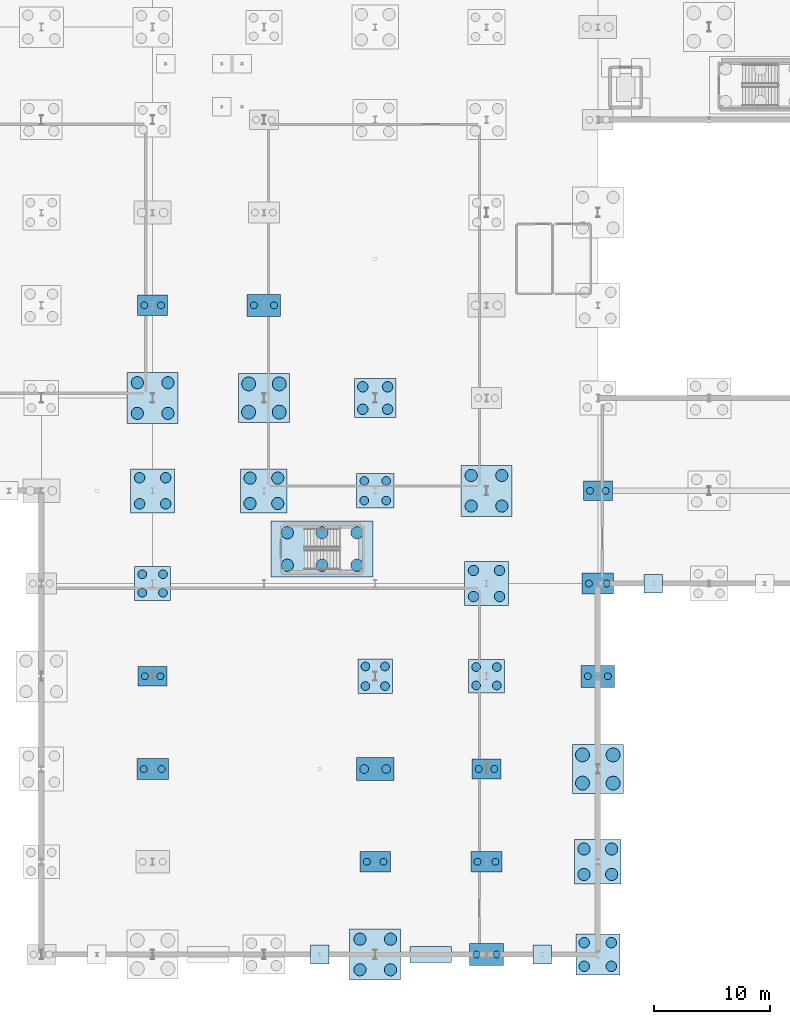
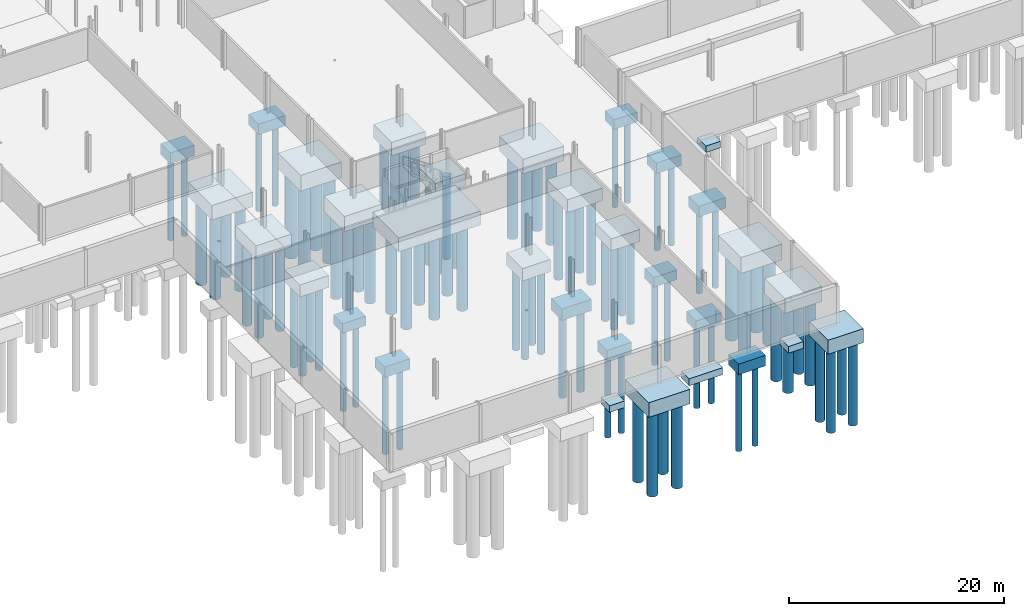
# One storey, part 2 of 47: 90 piles, 32 footings.
"""IFC4 building model written with IfcOpenShell, lengths in metres."""

from ifc_helpers import new_model, si_unit, direction, frame, origin, origin_2d, place, context, subcontext, project, spatial, rectangle, circle, extrude, material, material_profile, profile_set, type_object, element, save


model = new_model("IFC4")

# Units and contexts
model_context = context("Model", 3, precision=1e-05, world=origin(), true_north=direction((0.0, 1.0)))
body_context = subcontext(model_context, "Body", "Model", "MODEL_VIEW")
ifc_project = project(units=[si_unit("LENGTHUNIT", "METRE"), si_unit("AREAUNIT", "SQUARE_METRE"), si_unit("VOLUMEUNIT", "CUBIC_METRE"), si_unit("PLANEANGLEUNIT", "RADIAN"), si_unit("MASSUNIT", "GRAM", prefix="KILO")], contexts=[model_context])

# Site, building, storey
site_placement = place(None, origin())
site = spatial("IfcSite", under=ifc_project, at=site_placement, CompositionType="ELEMENT")
building_placement = place(site_placement, origin())
building = spatial("IfcBuilding", under=site, at=building_placement, Name="Alderhovde Museum", CompositionType="ELEMENT")
storey_placement = place(building_placement, frame((0.0, 0.0, -4.5)))
storey = spatial("IfcBuildingStorey", under=building, at=storey_placement, Name="B1", CompositionType="ELEMENT", Elevation=-4.5)

# Footings
ifc_material_1 = material(Name="Concrete C40/50", Category="concrete")
footing_type_1 = type_object("IfcFootingType", Name="PC-2500x1700x1100", PredefinedType="PILE_CAP", material=ifc_material_1)
for number, where, z_axis, x_axis, name in (
    (1, (76.800048828125, 24.0, -1.5), (0.0, 0.0, 1.0), (1.0, 0.0, 0.0), "Pile Cap at (76.8, 24.0)"),
    (2, (105.60009765625, 16.0, -1.5), (0.0, 0.0, 1.0), (1.0, 0.0, 0.0), "Pile Cap at (105.6, 16.0)"),
    (3, (115.199951171875, 40.0, -1.5), (0.0, 0.0, 1.0), (1.0, 0.0, 0.0), "Pile Cap at (115.2, 40.0)"),
):
    element("IfcFooting", number, at=place(storey_placement, frame(where, z_axis=z_axis, x_axis=x_axis)), inside=storey, type_object=footing_type_1, Name=name, PredefinedType="PILE_CAP", context=body_context, shape_type="SweptSolid", body=[
        extrude(rectangle(XDim=2.5, YDim=1.699951171875, at=origin_2d()), origin(), (0.0, 0.0, 1.0), 1.10009765625),
    ])
ifc_material_2 = material(Name="Concrete C40/50", Category="concrete")
footing_type_2 = type_object("IfcFootingType", Name="PC-2600x1800x1200", PredefinedType="PILE_CAP", material=ifc_material_2)
for number, where, z_axis, x_axis, name in (
    (4, (76.800048828125, 56.0, -1.60009765625), (0.0, 0.0, 1.0), (1.0, 0.0, 0.0), "Pile Cap at (76.8, 56.0)"),
    (5, (96.0, 8.0, -1.60009765625), (0.0, 0.0, 1.0), (1.0, 0.0, 0.0), "Pile Cap at (96.0, 8.0)"),
):
    element("IfcFooting", number, at=place(storey_placement, frame(where, z_axis=z_axis, x_axis=x_axis)), inside=storey, type_object=footing_type_2, Name=name, PredefinedType="PILE_CAP", context=body_context, shape_type="SweptSolid", body=[
        extrude(rectangle(XDim=2.60009765625, YDim=1.800048828125, at=origin_2d()), origin(), (0.0, 0.0, 1.0), 1.199951171875),
    ])
ifc_material_3 = material(Name="Concrete C40/50", Category="concrete")
footing_type_3 = type_object("IfcFootingType", Name="PC-2700x1800x1200", PredefinedType="PILE_CAP", material=ifc_material_3)
for number, where, z_axis, x_axis, name in (
    (6, (76.800048828125, 16.0, -1.60009765625), (0.0, 0.0, 1.0), (1.0, 0.0, 0.0), "Pile Cap at (76.8, 16.0)"),
    (7, (105.60009765625, 8.0, -1.60009765625), (0.0, 0.0, 1.0), (1.0, 0.0, 0.0), "Pile Cap at (105.6, 8.0)"),
    (8, (115.199951171875, 32.0, -1.60009765625), (0.0, 0.0, 1.0), (1.0, 0.0, 0.0), "Pile Cap at (115.2, 32.0)"),
):
    element("IfcFooting", number, at=place(storey_placement, frame(where, z_axis=z_axis, x_axis=x_axis)), inside=storey, type_object=footing_type_3, Name=name, PredefinedType="PILE_CAP", context=body_context, shape_type="SweptSolid", body=[
        extrude(rectangle(XDim=2.699951171875, YDim=1.800048828125, at=origin_2d()), origin(), (0.0, 0.0, 1.0), 1.199951171875),
    ])
ifc_material_4 = material(Name="Concrete C40/50", Category="concrete")
footing_type_4 = type_object("IfcFootingType", Name="PC-2900x1900x1200", PredefinedType="PILE_CAP", material=ifc_material_4)
for number, where, z_axis, x_axis, name in (
    (9, (86.39990234375, 56.0, -1.60009765625), (0.0, 0.0, 1.0), (1.0, 0.0, 0.0), "Pile Cap at (86.4, 56.0)"),
    (10, (105.60009765625, 0.0, -1.60009765625), (0.0, 0.0, 1.0), (1.0, 0.0, 0.0), "Pile Cap at (105.6, 0.0)"),
    (11, (115.199951171875, 24.0, -1.60009765625), (0.0, 0.0, 1.0), (1.0, 0.0, 0.0), "Pile Cap at (115.2, 24.0)"),
):
    element("IfcFooting", number, at=place(storey_placement, frame(where, z_axis=z_axis, x_axis=x_axis)), inside=storey, type_object=footing_type_4, Name=name, PredefinedType="PILE_CAP", context=body_context, shape_type="SweptSolid", body=[
        extrude(rectangle(XDim=2.89990234375, YDim=1.89990234375, at=origin_2d()), origin(), (0.0, 0.0, 1.0), 1.199951171875),
    ])
ifc_material_5 = material(Name="Concrete C40/50", Category="concrete")
footing_type_5 = type_object("IfcFootingType", Name="PC-3000x3000x1400", PredefinedType="PILE_CAP", material=ifc_material_5)
footing_1_placement = place(storey_placement, frame((96.0, 24.0, -1.800048828125), z_axis=(0.0, 0.0, 1.0), x_axis=(1.0, 0.0, 0.0)))
element("IfcFooting", 12, at=footing_1_placement, inside=storey, type_object=footing_type_5, Name="Pile Cap at (96.0, 24.0)", PredefinedType="PILE_CAP", context=body_context, shape_type="SweptSolid", body=[
    extrude(rectangle(XDim=3.0, YDim=3.0, at=origin_2d()), origin(), (0.0, 0.0, 1.0), 1.39990234375),
])
ifc_material_6 = material(Name="Concrete C40/50", Category="concrete")
footing_type_6 = type_object("IfcFootingType", Name="PC-3100x2900x1350", PredefinedType="PILE_CAP", material=ifc_material_6)
for number, where, z_axis, x_axis, name in (
    (13, (76.800048828125, 32.0, -1.75), (0.0, 0.0, 1.0), (1.0, 0.0, 0.0), "Pile Cap at (76.8, 32.0)"),
    (14, (105.60009765625, 24.0, -1.75), (0.0, 0.0, 1.0), (1.0, 0.0, 0.0), "Pile Cap at (105.6, 24.0)"),
):
    element("IfcFooting", number, at=place(storey_placement, frame(where, z_axis=z_axis, x_axis=x_axis)), inside=storey, type_object=footing_type_6, Name=name, PredefinedType="PILE_CAP", context=body_context, shape_type="SweptSolid", body=[
        extrude(rectangle(XDim=3.10009765625, YDim=2.89990234375, at=origin_2d()), origin(), (0.0, 0.0, 1.0), 1.35009765625),
    ])
ifc_material_7 = material(Name="Concrete C40/50", Category="concrete")
footing_type_7 = type_object("IfcFootingType", Name="PC-3200x2000x1300", PredefinedType="PILE_CAP", material=ifc_material_7)
footing_2_placement = place(storey_placement, frame((96.0, 16.0, -1.7001953125), z_axis=(0.0, 0.0, 1.0), x_axis=(1.0, 0.0, 0.0)))
element("IfcFooting", 15, at=footing_2_placement, inside=storey, type_object=footing_type_7, Name="Pile Cap at (96.0, 16.0)", PredefinedType="PILE_CAP", context=body_context, shape_type="SweptSolid", body=[
    extrude(rectangle(XDim=3.199951171875, YDim=2.0, at=origin_2d()), origin(), (0.0, 0.0, 1.0), 1.300048828125),
])
ifc_material_8 = material(Name="Concrete C40/50", Category="concrete")
footing_type_8 = type_object("IfcFootingType", Name="PC-3200x3000x1400", PredefinedType="PILE_CAP", material=ifc_material_8)
footing_3_placement = place(storey_placement, frame((96.0, 40.0, -1.800048828125), z_axis=(0.0, 0.0, 1.0), x_axis=(1.0, 0.0, 0.0)))
element("IfcFooting", 16, at=footing_3_placement, inside=storey, type_object=footing_type_8, Name="Pile Cap at (96.0, 40.0)", PredefinedType="PILE_CAP", context=body_context, shape_type="SweptSolid", body=[
    extrude(rectangle(XDim=3.199951171875, YDim=3.0, at=origin_2d()), origin(), (0.0, 0.0, 1.0), 1.39990234375),
])
ifc_material_9 = material(Name="Concrete C40/50", Category="concrete")
footing_type_9 = type_object("IfcFootingType", Name="PC-3600x3400x1500", PredefinedType="PILE_CAP", material=ifc_material_9)
footing_4_placement = place(storey_placement, frame((96.0, 48.0, -1.89990234375), z_axis=(0.0, 0.0, 1.0), x_axis=(1.0, 0.0, 0.0)))
element("IfcFooting", 17, at=footing_4_placement, inside=storey, type_object=footing_type_9, Name="Pile Cap at (96.0, 48.0)", PredefinedType="PILE_CAP", context=body_context, shape_type="SweptSolid", body=[
    extrude(rectangle(XDim=3.60009765625, YDim=3.39990234375, at=origin_2d()), origin(), (0.0, 0.0, 1.0), 1.5),
])
ifc_material_10 = material(Name="Concrete C40/50", Category="concrete")
footing_type_10 = type_object("IfcFootingType", Name="PC-3800x3500x1600", PredefinedType="PILE_CAP", material=ifc_material_10)
footing_5_placement = place(storey_placement, frame((115.199951171875, 0.0, -2.0), z_axis=(0.0, 0.0, 1.0), x_axis=(1.0, 0.0, 0.0)))
element("IfcFooting", 18, at=footing_5_placement, inside=storey, type_object=footing_type_10, Name="Pile Cap at (115.2, 0.0)", PredefinedType="PILE_CAP", context=body_context, shape_type="SweptSolid", body=[
    extrude(rectangle(XDim=3.800048828125, YDim=3.5, at=origin_2d()), origin(), (0.0, 0.0, 1.0), 1.60009765625),
])
ifc_material_11 = material(Name="Concrete C40/50", Category="concrete")
footing_type_11 = type_object("IfcFootingType", Name="PC-3800x3800x1450", PredefinedType="PILE_CAP", material=ifc_material_11)
for number, where, z_axis, x_axis, name in (
    (19, (76.800048828125, 40.0, -1.85009765625), (0.0, 0.0, 1.0), (1.0, 0.0, 0.0), "Pile Cap at (76.8, 40.0)"),
    (20, (105.60009765625, 32.0, -1.85009765625), (0.0, 0.0, 1.0), (1.0, 0.0, 0.0), "Pile Cap at (105.6, 32.0)"),
):
    element("IfcFooting", number, at=place(storey_placement, frame(where, z_axis=z_axis, x_axis=x_axis)), inside=storey, type_object=footing_type_11, Name=name, PredefinedType="PILE_CAP", context=body_context, shape_type="SweptSolid", body=[
        extrude(rectangle(XDim=3.800048828125, YDim=3.800048828125, at=origin_2d()), origin(), (0.0, 0.0, 1.0), 1.449951171875),
    ])
ifc_material_12 = material(Name="Concrete C40/50", Category="concrete")
footing_type_12 = type_object("IfcFootingType", Name="PC-4000x3800x1700", PredefinedType="PILE_CAP", material=ifc_material_12)
for number, where, z_axis, x_axis, name in (
    (21, (86.39990234375, 40.0, -2.10009765625), (0.0, 0.0, 1.0), (1.0, 0.0, 0.0), "Pile Cap at (86.4, 40.0)"),
    (22, (115.199951171875, 8.0, -2.10009765625), (0.0, 0.0, 1.0), (1.0, 0.0, 0.0), "Pile Cap at (115.2, 8.0)"),
):
    element("IfcFooting", number, at=place(storey_placement, frame(where, z_axis=z_axis, x_axis=x_axis)), inside=storey, type_object=footing_type_12, Name=name, PredefinedType="PILE_CAP", context=body_context, shape_type="SweptSolid", body=[
        extrude(rectangle(XDim=4.0, YDim=3.800048828125, at=origin_2d()), origin(), (0.0, 0.0, 1.0), 1.699951171875),
    ])
ifc_material_13 = material(Name="Concrete C40/50", Category="concrete")
footing_type_13 = type_object("IfcFootingType", Name="PC-4400x4200x1800", PredefinedType="PILE_CAP", material=ifc_material_13)
for number, where, z_axis, x_axis, name in (
    (23, (86.39990234375, 48.0, -2.2001953125), (0.0, 0.0, 1.0), (1.0, 0.0, 0.0), "Pile Cap at (86.4, 48.0)"),
    (24, (115.199951171875, 16.0, -2.2001953125), (0.0, 0.0, 1.0), (1.0, 0.0, 0.0), "Pile Cap at (115.2, 16.0)"),
):
    element("IfcFooting", number, at=place(storey_placement, frame(where, z_axis=z_axis, x_axis=x_axis)), inside=storey, type_object=footing_type_13, Name=name, PredefinedType="PILE_CAP", context=body_context, shape_type="SweptSolid", body=[
        extrude(rectangle(XDim=4.39990234375, YDim=4.199951171875, at=origin_2d()), origin(), (0.0, 0.0, 1.0), 1.800048828125),
    ])
ifc_material_14 = material(Name="Concrete C40/50", Category="concrete")
footing_type_14 = type_object("IfcFootingType", Name="PC-4400x4400x1650", PredefinedType="PILE_CAP", material=ifc_material_14)
for number, where, z_axis, x_axis, name in (
    (25, (76.800048828125, 48.0, -2.050048828125), (0.0, 0.0, 1.0), (1.0, 0.0, 0.0), "Pile Cap at (76.8, 48.0)"),
    (26, (96.0, 0.0, -2.050048828125), (0.0, 0.0, 1.0), (1.0, 0.0, 0.0), "Pile Cap at (96.0, 0.0)"),
    (27, (105.60009765625, 40.0, -2.050048828125), (0.0, 0.0, 1.0), (1.0, 0.0, 0.0), "Pile Cap at (105.6, 40.0)"),
):
    element("IfcFooting", number, at=place(storey_placement, frame(where, z_axis=z_axis, x_axis=x_axis)), inside=storey, type_object=footing_type_14, Name=name, PredefinedType="PILE_CAP", context=body_context, shape_type="SweptSolid", body=[
        extrude(rectangle(XDim=4.39990234375, YDim=4.39990234375, at=origin_2d()), origin(), (0.0, 0.0, 1.0), 1.64990234375),
    ])
ifc_material_15 = material(Name="Concrete C40/50", Category="concrete")
footing_type_15 = type_object("IfcFootingType", Name="PC-CORE-8800x4800x1600", PredefinedType="PILE_CAP", material=ifc_material_15)
footing_6_placement = place(storey_placement, frame((91.419921875, 34.97998046875, -2.0), z_axis=(0.0, 0.0, 1.0), x_axis=(1.0, 0.0, 0.0)))
element("IfcFooting", 28, at=footing_6_placement, inside=storey, type_object=footing_type_15, Name="Core Pile Cap ST3", PredefinedType="PILE_CAP", context=body_context, shape_type="SweptSolid", body=[
    extrude(rectangle(XDim=8.800048828125, YDim=4.800048828125, at=origin_2d()), origin(), (0.0, 0.0, 1.0), 1.60009765625),
])
ifc_material_16 = material(Name="Concrete C40/50", Category="concrete")
footing_type_16 = type_object("IfcFootingType", Name="PF-1600x1600x750", PredefinedType="PAD_FOOTING", material=ifc_material_16)
for number, where, z_axis, x_axis, name in (
    (29, (91.199951171875, 0.0, -1.14990234375), (0.0, 0.0, 1.0), (1.0, 0.0, 0.0), "Pilaster Pad Footing (91.2, 0.0)"),
    (30, (110.39990234375, 0.0, -1.14990234375), (0.0, 0.0, 1.0), (1.0, 0.0, 0.0), "Pilaster Pad Footing (110.4, 0.0)"),
    (31, (120.0, 32.0, -1.14990234375), (0.0, 0.0, 1.0), (1.0, 0.0, 0.0), "Pilaster Pad Footing (120.0, 32.0)"),
):
    element("IfcFooting", number, at=place(storey_placement, frame(where, z_axis=z_axis, x_axis=x_axis)), inside=storey, type_object=footing_type_16, Name=name, PredefinedType="PAD_FOOTING", context=body_context, shape_type="SweptSolid", body=[
        extrude(rectangle(XDim=1.60009765625, YDim=1.60009765625, at=origin_2d()), origin(), (0.0, 0.0, 1.0), 0.75),
    ])

# Piles
ifc_material_17 = material(Name="Concrete C40/50", Category="concrete")
ifc_material_profile_1 = material_profile(ifc_material_17, circle(Radius=0.52490234375, at=origin_2d()), Name="PILE-D1050")
ifc_profile_set_1 = profile_set([ifc_material_profile_1], Name="Concrete C40/50")
pile_type_1 = type_object("IfcPileType", Name="PIL-D1050", PredefinedType="BORED", material=ifc_profile_set_1)
for number, where, z_axis, x_axis, name in (
    (32, (88.419921875, 33.580078125, -1.89990234375), (0.0, 0.0, -1.0), (1.0, 0.0, 0.0), "Core Bored Pile ST3-P1"),
    (33, (91.419921875, 33.580078125, -1.89990234375), (0.0, 0.0, -1.0), (1.0, 0.0, 0.0), "Core Bored Pile ST3-P2"),
    (34, (94.419921875, 33.580078125, -1.89990234375), (0.0, 0.0, -1.0), (1.0, 0.0, 0.0), "Core Bored Pile ST3-P3"),
    (35, (88.419921875, 36.3798828125, -1.89990234375), (0.0, 0.0, -1.0), (1.0, 0.0, 0.0), "Core Bored Pile ST3-P4"),
    (36, (91.419921875, 36.3798828125, -1.89990234375), (0.0, 0.0, -1.0), (1.0, 0.0, 0.0), "Core Bored Pile ST3-P5"),
    (37, (94.419921875, 36.3798828125, -1.89990234375), (0.0, 0.0, -1.0), (1.0, 0.0, 0.0), "Core Bored Pile ST3-P6"),
):
    element("IfcPile", number, at=place(storey_placement, frame(where, z_axis=z_axis, x_axis=x_axis)), inside=storey, type_object=pile_type_1, Name=name, PredefinedType="BORED", context=body_context, shape_type="SweptSolid", body=[
        extrude(circle(Radius=0.52490234375, at=origin_2d()), origin(), (0.0, 0.0, 1.0), 9.675048828125),
    ])
for number, where, z_axis, x_axis, name in (
    (38, (75.47998046875, 46.679931640625, -1.949951171875), (0.0, 0.0, -1.0), (1.0, 0.0, 0.0), "Bored Pile PC-0768-0480-P1"),
    (39, (78.1201171875, 46.679931640625, -1.949951171875), (0.0, 0.0, -1.0), (1.0, 0.0, 0.0), "Bored Pile PC-0768-0480-P2"),
    (40, (75.47998046875, 49.320068359375, -1.949951171875), (0.0, 0.0, -1.0), (1.0, 0.0, 0.0), "Bored Pile PC-0768-0480-P3"),
    (41, (78.1201171875, 49.320068359375, -1.949951171875), (0.0, 0.0, -1.0), (1.0, 0.0, 0.0), "Bored Pile PC-0768-0480-P4"),
):
    element("IfcPile", number, at=place(storey_placement, frame(where, z_axis=z_axis, x_axis=x_axis)), inside=storey, type_object=pile_type_1, Name=name, PredefinedType="BORED", context=body_context, shape_type="SweptSolid", body=[
        extrude(circle(Radius=0.52490234375, at=origin_2d()), origin(), (0.0, 0.0, 1.0), 9.625),
    ])
for number, where, z_axis, x_axis, name in (
    (42, (85.205078125, 38.905029296875, -2.0), (0.0, 0.0, -1.0), (1.0, 0.0, 0.0), "Bored Pile PC-0864-0400-P1"),
    (43, (87.594970703125, 38.905029296875, -2.0), (0.0, 0.0, -1.0), (1.0, 0.0, 0.0), "Bored Pile PC-0864-0400-P2"),
    (44, (85.205078125, 41.094970703125, -2.0), (0.0, 0.0, -1.0), (1.0, 0.0, 0.0), "Bored Pile PC-0864-0400-P3"),
    (45, (87.594970703125, 41.094970703125, -2.0), (0.0, 0.0, -1.0), (1.0, 0.0, 0.0), "Bored Pile PC-0864-0400-P4"),
):
    element("IfcPile", number, at=place(storey_placement, frame(where, z_axis=z_axis, x_axis=x_axis)), inside=storey, type_object=pile_type_1, Name=name, PredefinedType="BORED", context=body_context, shape_type="SweptSolid", body=[
        extrude(circle(Radius=0.52490234375, at=origin_2d()), origin(), (0.0, 0.0, 1.0), 9.574951171875),
    ])
for number, where, z_axis, x_axis, name in (
    (46, (94.679931640625, -1.320068359375, -1.949951171875), (0.0, 0.0, -1.0), (1.0, 0.0, 0.0), "Bored Pile PC-0960-0000-P1"),
    (47, (97.320068359375, -1.320068359375, -1.949951171875), (0.0, 0.0, -1.0), (1.0, 0.0, 0.0), "Bored Pile PC-0960-0000-P2"),
    (48, (94.679931640625, 1.320068359375, -1.949951171875), (0.0, 0.0, -1.0), (1.0, 0.0, 0.0), "Bored Pile PC-0960-0000-P3"),
    (49, (97.320068359375, 1.320068359375, -1.949951171875), (0.0, 0.0, -1.0), (1.0, 0.0, 0.0), "Bored Pile PC-0960-0000-P4"),
    (50, (104.280029296875, 38.679931640625, -1.949951171875), (0.0, 0.0, -1.0), (1.0, 0.0, 0.0), "Bored Pile PC-1056-0400-P1"),
    (51, (106.919921875, 38.679931640625, -1.949951171875), (0.0, 0.0, -1.0), (1.0, 0.0, 0.0), "Bored Pile PC-1056-0400-P2"),
    (52, (104.280029296875, 41.320068359375, -1.949951171875), (0.0, 0.0, -1.0), (1.0, 0.0, 0.0), "Bored Pile PC-1056-0400-P3"),
    (53, (106.919921875, 41.320068359375, -1.949951171875), (0.0, 0.0, -1.0), (1.0, 0.0, 0.0), "Bored Pile PC-1056-0400-P4"),
):
    element("IfcPile", number, at=place(storey_placement, frame(where, z_axis=z_axis, x_axis=x_axis)), inside=storey, type_object=pile_type_1, Name=name, PredefinedType="BORED", context=body_context, shape_type="SweptSolid", body=[
        extrude(circle(Radius=0.52490234375, at=origin_2d()), origin(), (0.0, 0.0, 1.0), 9.625),
    ])
for number, where, z_axis, x_axis, name in (
    (54, (114.0048828125, 6.905029296875, -2.0), (0.0, 0.0, -1.0), (1.0, 0.0, 0.0), "Bored Pile PC-1152-0080-P1"),
    (55, (116.39501953125, 6.905029296875, -2.0), (0.0, 0.0, -1.0), (1.0, 0.0, 0.0), "Bored Pile PC-1152-0080-P2"),
    (56, (114.0048828125, 9.094970703125, -2.0), (0.0, 0.0, -1.0), (1.0, 0.0, 0.0), "Bored Pile PC-1152-0080-P3"),
    (57, (116.39501953125, 9.094970703125, -2.0), (0.0, 0.0, -1.0), (1.0, 0.0, 0.0), "Bored Pile PC-1152-0080-P4"),
):
    element("IfcPile", number, at=place(storey_placement, frame(where, z_axis=z_axis, x_axis=x_axis)), inside=storey, type_object=pile_type_1, Name=name, PredefinedType="BORED", context=body_context, shape_type="SweptSolid", body=[
        extrude(circle(Radius=0.52490234375, at=origin_2d()), origin(), (0.0, 0.0, 1.0), 9.574951171875),
    ])
ifc_material_18 = material(Name="Concrete C40/50", Category="concrete")
ifc_material_profile_2 = material_profile(ifc_material_18, circle(Radius=0.60009765625, at=origin_2d()), Name="PILE-D1200")
ifc_profile_set_2 = profile_set([ifc_material_profile_2], Name="Concrete C40/50")
pile_type_2 = type_object("IfcPileType", Name="PIL-D1200", PredefinedType="BORED", material=ifc_profile_set_2)
for number, where, z_axis, x_axis, name in (
    (58, (85.080078125, 46.780029296875, -2.10009765625), (0.0, 0.0, -1.0), (1.0, 0.0, 0.0), "Bored Pile PC-0864-0480-P1"),
    (59, (87.719970703125, 46.780029296875, -2.10009765625), (0.0, 0.0, -1.0), (1.0, 0.0, 0.0), "Bored Pile PC-0864-0480-P2"),
    (60, (85.080078125, 49.219970703125, -2.10009765625), (0.0, 0.0, -1.0), (1.0, 0.0, 0.0), "Bored Pile PC-0864-0480-P3"),
    (61, (87.719970703125, 49.219970703125, -2.10009765625), (0.0, 0.0, -1.0), (1.0, 0.0, 0.0), "Bored Pile PC-0864-0480-P4"),
    (62, (113.8798828125, 14.780029296875, -2.10009765625), (0.0, 0.0, -1.0), (1.0, 0.0, 0.0), "Bored Pile PC-1152-0160-P1"),
    (63, (116.52001953125, 14.780029296875, -2.10009765625), (0.0, 0.0, -1.0), (1.0, 0.0, 0.0), "Bored Pile PC-1152-0160-P2"),
    (64, (113.8798828125, 17.219970703125, -2.10009765625), (0.0, 0.0, -1.0), (1.0, 0.0, 0.0), "Bored Pile PC-1152-0160-P3"),
    (65, (116.52001953125, 17.219970703125, -2.10009765625), (0.0, 0.0, -1.0), (1.0, 0.0, 0.0), "Bored Pile PC-1152-0160-P4"),
):
    element("IfcPile", number, at=place(storey_placement, frame(where, z_axis=z_axis, x_axis=x_axis)), inside=storey, type_object=pile_type_2, Name=name, PredefinedType="BORED", context=body_context, shape_type="SweptSolid", body=[
        extrude(circle(Radius=0.60009765625, at=origin_2d()), origin(), (0.0, 0.0, 1.0), 9.699951171875),
    ])
ifc_material_19 = material(Name="Concrete C40/50", Category="concrete")
ifc_material_profile_3 = material_profile(ifc_material_19, circle(Radius=0.300048828125, at=origin_2d()), Name="PILE-D600")
ifc_profile_set_3 = profile_set([ifc_material_profile_3], Name="Concrete C40/50")
pile_type_3 = type_object("IfcPileType", Name="PIL-D600", PredefinedType="BORED", material=ifc_profile_set_3)
for number, where, z_axis, x_axis, name in (
    (66, (76.030029296875, 16.0, -1.5), (0.0, 0.0, -1.0), (1.0, 0.0, 0.0), "Bored Pile PC-0768-0160-P1"),
    (67, (77.570068359375, 16.0, -1.5), (0.0, 0.0, -1.0), (1.0, 0.0, 0.0), "Bored Pile PC-0768-0160-P2"),
):
    element("IfcPile", number, at=place(storey_placement, frame(where, z_axis=z_axis, x_axis=x_axis)), inside=storey, type_object=pile_type_3, Name=name, PredefinedType="BORED", context=body_context, shape_type="SweptSolid", body=[
        extrude(circle(Radius=0.300048828125, at=origin_2d()), origin(), (0.0, 0.0, 1.0), 9.39990234375),
    ])
for number, where, z_axis, x_axis, name in (
    (68, (76.1298828125, 24.0, -1.39990234375), (0.0, 0.0, -1.0), (1.0, 0.0, 0.0), "Bored Pile PC-0768-0240-P1"),
    (69, (77.469970703125, 24.0, -1.39990234375), (0.0, 0.0, -1.0), (1.0, 0.0, 0.0), "Bored Pile PC-0768-0240-P2"),
):
    element("IfcPile", number, at=place(storey_placement, frame(where, z_axis=z_axis, x_axis=x_axis)), inside=storey, type_object=pile_type_3, Name=name, PredefinedType="BORED", context=body_context, shape_type="SweptSolid", body=[
        extrude(circle(Radius=0.300048828125, at=origin_2d()), origin(), (0.0, 0.0, 1.0), 9.5),
    ])
for number, where, z_axis, x_axis, name in (
    (70, (76.080078125, 56.0, -1.5), (0.0, 0.0, -1.0), (1.0, 0.0, 0.0), "Bored Pile PC-0768-0560-P1"),
    (71, (77.52001953125, 56.0, -1.5), (0.0, 0.0, -1.0), (1.0, 0.0, 0.0), "Bored Pile PC-0768-0560-P2"),
    (72, (85.530029296875, 56.0, -1.5), (0.0, 0.0, -1.0), (1.0, 0.0, 0.0), "Bored Pile PC-0864-0560-P1"),
    (73, (87.27001953125, 56.0, -1.5), (0.0, 0.0, -1.0), (1.0, 0.0, 0.0), "Bored Pile PC-0864-0560-P2"),
    (74, (95.280029296875, 8.0, -1.5), (0.0, 0.0, -1.0), (1.0, 0.0, 0.0), "Bored Pile PC-0960-0080-P1"),
    (75, (96.719970703125, 8.0, -1.5), (0.0, 0.0, -1.0), (1.0, 0.0, 0.0), "Bored Pile PC-0960-0080-P2"),
    (76, (104.72998046875, 0.0, -1.5), (0.0, 0.0, -1.0), (1.0, 0.0, 0.0), "Bored Pile PC-1056-0000-P1"),
    (77, (106.469970703125, 0.0, -1.5), (0.0, 0.0, -1.0), (1.0, 0.0, 0.0), "Bored Pile PC-1056-0000-P2"),
    (78, (104.830078125, 8.0, -1.5), (0.0, 0.0, -1.0), (1.0, 0.0, 0.0), "Bored Pile PC-1056-0080-P1"),
    (79, (106.3701171875, 8.0, -1.5), (0.0, 0.0, -1.0), (1.0, 0.0, 0.0), "Bored Pile PC-1056-0080-P2"),
):
    element("IfcPile", number, at=place(storey_placement, frame(where, z_axis=z_axis, x_axis=x_axis)), inside=storey, type_object=pile_type_3, Name=name, PredefinedType="BORED", context=body_context, shape_type="SweptSolid", body=[
        extrude(circle(Radius=0.300048828125, at=origin_2d()), origin(), (0.0, 0.0, 1.0), 9.39990234375),
    ])
for number, where, z_axis, x_axis, name in (
    (80, (104.929931640625, 16.0, -1.39990234375), (0.0, 0.0, -1.0), (1.0, 0.0, 0.0), "Bored Pile PC-1056-0160-P1"),
    (81, (106.27001953125, 16.0, -1.39990234375), (0.0, 0.0, -1.0), (1.0, 0.0, 0.0), "Bored Pile PC-1056-0160-P2"),
):
    element("IfcPile", number, at=place(storey_placement, frame(where, z_axis=z_axis, x_axis=x_axis)), inside=storey, type_object=pile_type_3, Name=name, PredefinedType="BORED", context=body_context, shape_type="SweptSolid", body=[
        extrude(circle(Radius=0.300048828125, at=origin_2d()), origin(), (0.0, 0.0, 1.0), 9.5),
    ])
for number, where, z_axis, x_axis, name in (
    (82, (114.330078125, 24.0, -1.5), (0.0, 0.0, -1.0), (1.0, 0.0, 0.0), "Bored Pile PC-1152-0240-P1"),
    (83, (116.070068359375, 24.0, -1.5), (0.0, 0.0, -1.0), (1.0, 0.0, 0.0), "Bored Pile PC-1152-0240-P2"),
    (84, (114.429931640625, 32.0, -1.5), (0.0, 0.0, -1.0), (1.0, 0.0, 0.0), "Bored Pile PC-1152-0320-P1"),
    (85, (115.969970703125, 32.0, -1.5), (0.0, 0.0, -1.0), (1.0, 0.0, 0.0), "Bored Pile PC-1152-0320-P2"),
):
    element("IfcPile", number, at=place(storey_placement, frame(where, z_axis=z_axis, x_axis=x_axis)), inside=storey, type_object=pile_type_3, Name=name, PredefinedType="BORED", context=body_context, shape_type="SweptSolid", body=[
        extrude(circle(Radius=0.300048828125, at=origin_2d()), origin(), (0.0, 0.0, 1.0), 9.39990234375),
    ])
for number, where, z_axis, x_axis, name in (
    (86, (114.530029296875, 40.0, -1.39990234375), (0.0, 0.0, -1.0), (1.0, 0.0, 0.0), "Bored Pile PC-1152-0400-P1"),
    (87, (115.8701171875, 40.0, -1.39990234375), (0.0, 0.0, -1.0), (1.0, 0.0, 0.0), "Bored Pile PC-1152-0400-P2"),
):
    element("IfcPile", number, at=place(storey_placement, frame(where, z_axis=z_axis, x_axis=x_axis)), inside=storey, type_object=pile_type_3, Name=name, PredefinedType="BORED", context=body_context, shape_type="SweptSolid", body=[
        extrude(circle(Radius=0.300048828125, at=origin_2d()), origin(), (0.0, 0.0, 1.0), 9.5),
    ])
ifc_material_20 = material(Name="Concrete C40/50", Category="concrete")
ifc_material_profile_4 = material_profile(ifc_material_20, circle(Radius=0.375, at=origin_2d()), Name="PILE-D750")
ifc_profile_set_4 = profile_set([ifc_material_profile_4], Name="Concrete C40/50")
pile_type_4 = type_object("IfcPileType", Name="PIL-D750", PredefinedType="BORED", material=ifc_profile_set_4)
for number, where, z_axis, x_axis, name in (
    (88, (75.905029296875, 31.205078125, -1.64990234375), (0.0, 0.0, -1.0), (1.0, 0.0, 0.0), "Bored Pile PC-0768-0320-P1"),
    (89, (77.695068359375, 31.205078125, -1.64990234375), (0.0, 0.0, -1.0), (1.0, 0.0, 0.0), "Bored Pile PC-0768-0320-P2"),
    (90, (75.905029296875, 32.794921875, -1.64990234375), (0.0, 0.0, -1.0), (1.0, 0.0, 0.0), "Bored Pile PC-0768-0320-P3"),
    (91, (77.695068359375, 32.794921875, -1.64990234375), (0.0, 0.0, -1.0), (1.0, 0.0, 0.0), "Bored Pile PC-0768-0320-P4"),
):
    element("IfcPile", number, at=place(storey_placement, frame(where, z_axis=z_axis, x_axis=x_axis)), inside=storey, type_object=pile_type_4, Name=name, PredefinedType="BORED", context=body_context, shape_type="SweptSolid", body=[
        extrude(circle(Radius=0.375, at=origin_2d()), origin(), (0.0, 0.0, 1.0), 9.47509765625),
    ])
for number, where, z_axis, x_axis, name in (
    (92, (95.050048828125, 16.0, -1.60009765625), (0.0, 0.0, -1.0), (1.0, 0.0, 0.0), "Bored Pile PC-0960-0160-P1"),
    (93, (96.949951171875, 16.0, -1.60009765625), (0.0, 0.0, -1.0), (1.0, 0.0, 0.0), "Bored Pile PC-0960-0160-P2"),
):
    element("IfcPile", number, at=place(storey_placement, frame(where, z_axis=z_axis, x_axis=x_axis)), inside=storey, type_object=pile_type_4, Name=name, PredefinedType="BORED", context=body_context, shape_type="SweptSolid", body=[
        extrude(circle(Radius=0.375, at=origin_2d()), origin(), (0.0, 0.0, 1.0), 9.52490234375),
    ])
for number, where, z_axis, x_axis, name in (
    (94, (95.155029296875, 23.155029296875, -1.699951171875), (0.0, 0.0, -1.0), (1.0, 0.0, 0.0), "Bored Pile PC-0960-0240-P1"),
    (95, (96.844970703125, 23.155029296875, -1.699951171875), (0.0, 0.0, -1.0), (1.0, 0.0, 0.0), "Bored Pile PC-0960-0240-P2"),
    (96, (95.155029296875, 24.844970703125, -1.699951171875), (0.0, 0.0, -1.0), (1.0, 0.0, 0.0), "Bored Pile PC-0960-0240-P3"),
    (97, (96.844970703125, 24.844970703125, -1.699951171875), (0.0, 0.0, -1.0), (1.0, 0.0, 0.0), "Bored Pile PC-0960-0240-P4"),
    (98, (95.054931640625, 39.155029296875, -1.699951171875), (0.0, 0.0, -1.0), (1.0, 0.0, 0.0), "Bored Pile PC-0960-0400-P1"),
    (99, (96.945068359375, 39.155029296875, -1.699951171875), (0.0, 0.0, -1.0), (1.0, 0.0, 0.0), "Bored Pile PC-0960-0400-P2"),
    (100, (95.054931640625, 40.844970703125, -1.699951171875), (0.0, 0.0, -1.0), (1.0, 0.0, 0.0), "Bored Pile PC-0960-0400-P3"),
    (101, (96.945068359375, 40.844970703125, -1.699951171875), (0.0, 0.0, -1.0), (1.0, 0.0, 0.0), "Bored Pile PC-0960-0400-P4"),
):
    element("IfcPile", number, at=place(storey_placement, frame(where, z_axis=z_axis, x_axis=x_axis)), inside=storey, type_object=pile_type_4, Name=name, PredefinedType="BORED", context=body_context, shape_type="SweptSolid", body=[
        extrude(circle(Radius=0.375, at=origin_2d()), origin(), (0.0, 0.0, 1.0), 9.425048828125),
    ])
for number, where, z_axis, x_axis, name in (
    (102, (104.705078125, 23.205078125, -1.64990234375), (0.0, 0.0, -1.0), (1.0, 0.0, 0.0), "Bored Pile PC-1056-0240-P1"),
    (103, (106.4951171875, 23.205078125, -1.64990234375), (0.0, 0.0, -1.0), (1.0, 0.0, 0.0), "Bored Pile PC-1056-0240-P2"),
    (104, (104.705078125, 24.794921875, -1.64990234375), (0.0, 0.0, -1.0), (1.0, 0.0, 0.0), "Bored Pile PC-1056-0240-P3"),
    (105, (106.4951171875, 24.794921875, -1.64990234375), (0.0, 0.0, -1.0), (1.0, 0.0, 0.0), "Bored Pile PC-1056-0240-P4"),
):
    element("IfcPile", number, at=place(storey_placement, frame(where, z_axis=z_axis, x_axis=x_axis)), inside=storey, type_object=pile_type_4, Name=name, PredefinedType="BORED", context=body_context, shape_type="SweptSolid", body=[
        extrude(circle(Radius=0.375, at=origin_2d()), origin(), (0.0, 0.0, 1.0), 9.47509765625),
    ])
ifc_material_21 = material(Name="Concrete C40/50", Category="concrete")
ifc_material_profile_5 = material_profile(ifc_material_21, circle(Radius=0.449951171875, at=origin_2d()), Name="PILE-D900")
ifc_profile_set_5 = profile_set([ifc_material_profile_5], Name="Concrete C40/50")
pile_type_5 = type_object("IfcPileType", Name="PIL-D900", PredefinedType="BORED", material=ifc_profile_set_5)
for number, where, z_axis, x_axis, name in (
    (106, (75.675048828125, 38.875, -1.75), (0.0, 0.0, -1.0), (1.0, 0.0, 0.0), "Bored Pile PC-0768-0400-P1"),
    (107, (77.925048828125, 38.875, -1.75), (0.0, 0.0, -1.0), (1.0, 0.0, 0.0), "Bored Pile PC-0768-0400-P2"),
    (108, (75.675048828125, 41.125, -1.75), (0.0, 0.0, -1.0), (1.0, 0.0, 0.0), "Bored Pile PC-0768-0400-P3"),
    (109, (77.925048828125, 41.125, -1.75), (0.0, 0.0, -1.0), (1.0, 0.0, 0.0), "Bored Pile PC-0768-0400-P4"),
):
    element("IfcPile", number, at=place(storey_placement, frame(where, z_axis=z_axis, x_axis=x_axis)), inside=storey, type_object=pile_type_5, Name=name, PredefinedType="BORED", context=body_context, shape_type="SweptSolid", body=[
        extrude(circle(Radius=0.449951171875, at=origin_2d()), origin(), (0.0, 0.0, 1.0), 9.60009765625),
    ])
for number, where, z_axis, x_axis, name in (
    (110, (94.929931640625, 47.030029296875, -1.800048828125), (0.0, 0.0, -1.0), (1.0, 0.0, 0.0), "Bored Pile PC-0960-0480-P1"),
    (111, (97.070068359375, 47.030029296875, -1.800048828125), (0.0, 0.0, -1.0), (1.0, 0.0, 0.0), "Bored Pile PC-0960-0480-P2"),
    (112, (94.929931640625, 48.969970703125, -1.800048828125), (0.0, 0.0, -1.0), (1.0, 0.0, 0.0), "Bored Pile PC-0960-0480-P3"),
    (113, (97.070068359375, 48.969970703125, -1.800048828125), (0.0, 0.0, -1.0), (1.0, 0.0, 0.0), "Bored Pile PC-0960-0480-P4"),
):
    element("IfcPile", number, at=place(storey_placement, frame(where, z_axis=z_axis, x_axis=x_axis)), inside=storey, type_object=pile_type_5, Name=name, PredefinedType="BORED", context=body_context, shape_type="SweptSolid", body=[
        extrude(circle(Radius=0.449951171875, at=origin_2d()), origin(), (0.0, 0.0, 1.0), 9.550048828125),
    ])
for number, where, z_axis, x_axis, name in (
    (114, (104.47509765625, 30.875, -1.75), (0.0, 0.0, -1.0), (1.0, 0.0, 0.0), "Bored Pile PC-1056-0320-P1"),
    (115, (106.72509765625, 30.875, -1.75), (0.0, 0.0, -1.0), (1.0, 0.0, 0.0), "Bored Pile PC-1056-0320-P2"),
    (116, (104.47509765625, 33.125, -1.75), (0.0, 0.0, -1.0), (1.0, 0.0, 0.0), "Bored Pile PC-1056-0320-P3"),
    (117, (106.72509765625, 33.125, -1.75), (0.0, 0.0, -1.0), (1.0, 0.0, 0.0), "Bored Pile PC-1056-0320-P4"),
):
    element("IfcPile", number, at=place(storey_placement, frame(where, z_axis=z_axis, x_axis=x_axis)), inside=storey, type_object=pile_type_5, Name=name, PredefinedType="BORED", context=body_context, shape_type="SweptSolid", body=[
        extrude(circle(Radius=0.449951171875, at=origin_2d()), origin(), (0.0, 0.0, 1.0), 9.60009765625),
    ])
for number, where, z_axis, x_axis, name in (
    (118, (114.030029296875, -1.02001953125, -1.89990234375), (0.0, 0.0, -1.0), (1.0, 0.0, 0.0), "Bored Pile PC-1152-0000-P1"),
    (119, (116.3701171875, -1.02001953125, -1.89990234375), (0.0, 0.0, -1.0), (1.0, 0.0, 0.0), "Bored Pile PC-1152-0000-P2"),
    (120, (114.030029296875, 1.02001953125, -1.89990234375), (0.0, 0.0, -1.0), (1.0, 0.0, 0.0), "Bored Pile PC-1152-0000-P3"),
    (121, (116.3701171875, 1.02001953125, -1.89990234375), (0.0, 0.0, -1.0), (1.0, 0.0, 0.0), "Bored Pile PC-1152-0000-P4"),
):
    element("IfcPile", number, at=place(storey_placement, frame(where, z_axis=z_axis, x_axis=x_axis)), inside=storey, type_object=pile_type_5, Name=name, PredefinedType="BORED", context=body_context, shape_type="SweptSolid", body=[
        extrude(circle(Radius=0.449951171875, at=origin_2d()), origin(), (0.0, 0.0, 1.0), 9.449951171875),
    ])

# Footing
ifc_material_22 = material(Name="Concrete C40/50", Category="concrete")
footing_type_17 = type_object("IfcFootingType", Name="SF-RET-1400x800", PredefinedType="STRIP_FOOTING", material=ifc_material_22)
footing_7_placement = place(storey_placement, frame((100.800048828125, 0.0, -1.2001953125), z_axis=(0.0, 0.0, 1.0), x_axis=(1.0, 0.0, 0.0)))
element("IfcFooting", 122, at=footing_7_placement, inside=storey, type_object=footing_type_17, Name="Retaining Strip Footing SF-B1-S2", PredefinedType="STRIP_FOOTING", context=body_context, shape_type="SweptSolid", body=[
    extrude(rectangle(XDim=3.60009765625, YDim=1.39990234375, at=origin_2d()), origin(), (0.0, 0.0, 1.0), 0.800048828125),
])

save(model, "model.ifc")
